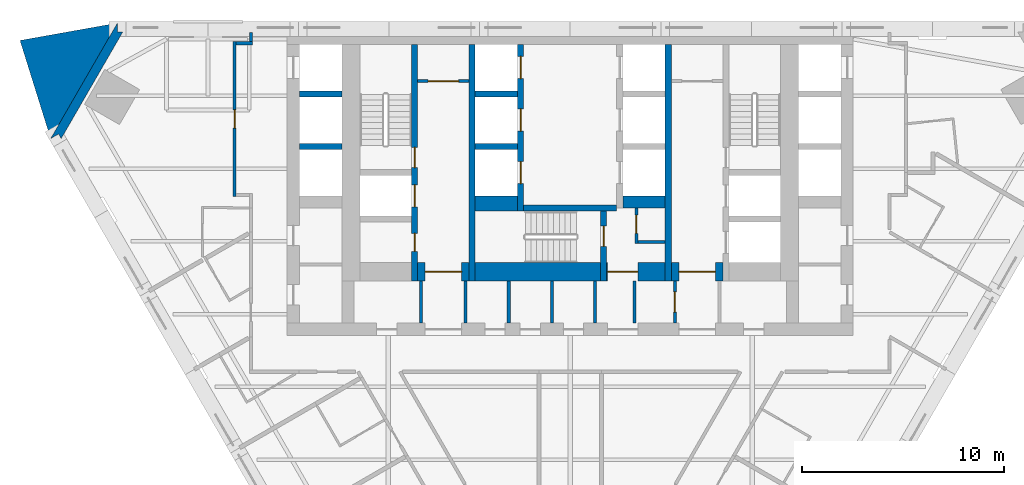
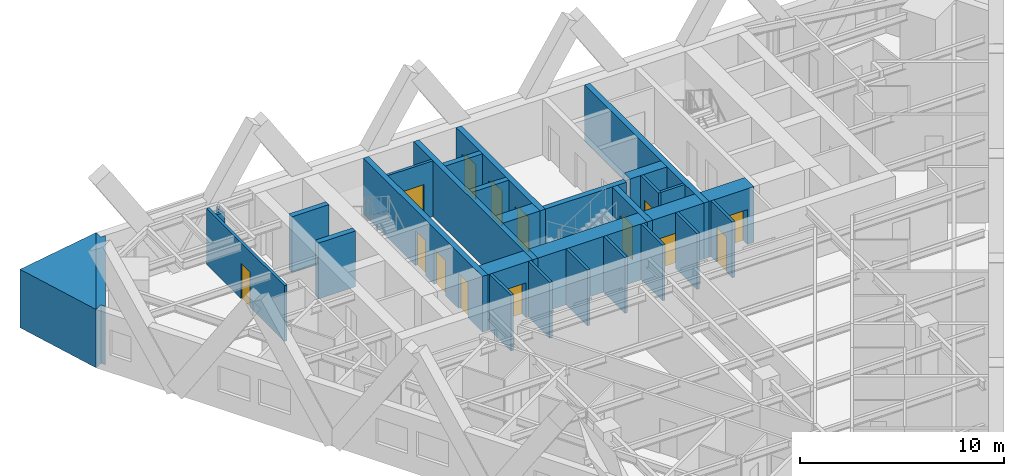
# One storey, part 6 of 9: 31 walls, 14 doors, 14 openings.
"""IFC4 building model written with IfcOpenShell, lengths in metres."""

from ifc_helpers import new_model, si_unit, direction, frame, frame_2d, origin, place, context, subcontext, project, spatial, polyline, rectangle, outline, extrude, material, layer, layer_set, type_object, element, fill, save


model = new_model("IFC4")

# Units and contexts
model_context = context("Model", 3, precision=1e-05, world=origin(), true_north=direction((0.0, 1.0)))
body_context = subcontext(model_context, "Body", "Model", "MODEL_VIEW")
ifc_project = project(units=[si_unit("LENGTHUNIT", "METRE"), si_unit("AREAUNIT", "SQUARE_METRE"), si_unit("VOLUMEUNIT", "CUBIC_METRE"), si_unit("PLANEANGLEUNIT", "RADIAN"), si_unit("MASSUNIT", "GRAM", prefix="KILO")], contexts=[model_context])

# Site, building, storey
site_placement = place(None, origin())
site = spatial("IfcSite", under=ifc_project, at=site_placement, CompositionType="ELEMENT")
building_placement = place(site_placement, origin())
building = spatial("IfcBuilding", under=site, at=building_placement, Name="Aloe Facet Convention Tower", CompositionType="ELEMENT")
storey_placement = place(building_placement, frame((0.0, 0.0, 42.0)))
storey = spatial("IfcBuildingStorey", under=building, at=storey_placement, Name="L08", CompositionType="ELEMENT", Elevation=42.0)

# Wall, opening, door
ifc_material_1 = material(Name="Concrete blockwork partition", Category="masonry")
ifc_layer_1 = layer(ifc_material_1, 0.14990234375)
ifc_layer_set_1 = layer_set([ifc_layer_1], Name="CR-W-PART150")
wall_type_1 = type_object("IfcWallType", Name="CR-W-PART150", PredefinedType="PARTITIONING", material=ifc_layer_set_1)
wall_1_placement = place(storey_placement, frame((72.449951171875, 132.125, 0.0), z_axis=(0.0, 0.0, 1.0), x_axis=(1.0, 0.0, 0.0)))
wall_1 = element("IfcWall", 1, at=wall_1_placement, inside=storey, type_object=wall_type_1, Name="Core partition L08-014", PredefinedType="PARTITIONING", context=body_context, shape_type="SweptSolid", body=[
    extrude(rectangle(XDim=2.550048828125, YDim=0.14990234375, at=frame_2d((1.27490234375, 0.0))), origin(), (0.0, 0.0, 1.0), 3.35009765625),
])
opening_1_placement = place(wall_1_placement, frame((0.52490234375, 0.0, 0.0)))
opening_1 = element("IfcOpeningElement", 2, at=opening_1_placement, cuts=wall_1, Name="Opening L08-CD21", PredefinedType="OPENING", context=body_context, shape_type="SweptSolid", body=[
    extrude(rectangle(XDim=1.5, YDim=2.10009765625, at=frame_2d((0.75, 1.050048828125))), frame((0.0, 0.0849609375, 0.0), z_axis=(0.0, -1.0, 0.0), x_axis=(1.0, 0.0, 0.0)), (0.0, 0.0, 1.0), 0.169921875),
])
ifc_material_2 = material(Name="Steel fire-resisting door set FD60", Category="steel")
door_type_1 = type_object("IfcDoorType", Name="CR-D-REFUGE-1500-FD60-DD", OperationType="DOUBLE_DOOR_DOUBLE_SWING", PredefinedType="DOOR", material=ifc_material_2)
door_1_placement = place(opening_1_placement, origin())
door_1 = element("IfcDoor", 3, at=door_1_placement, inside=storey, type_object=door_type_1, Name="Core door L08-CD21", OperationType="DOUBLE_DOOR_DOUBLE_SWING", OverallHeight=2.10009765625, OverallWidth=1.5, PredefinedType="DOOR", context=body_context, shape_type="SweptSolid", body=[
    extrude(rectangle(XDim=1.5, YDim=2.10009765625, at=frame_2d((0.75, 1.050048828125))), frame((0.0, 0.02490234375, 0.0), z_axis=(0.0, -1.0, 0.0), x_axis=(1.0, 0.0, 0.0)), (0.0, 0.0, 1.0), 0.050048828125),
])
fill(opening_1, door_1)

# Walls
for number, where, z_axis, x_axis, name in (
    (4, (72.625, 122.25, 0.0), (0.0, 0.0, 1.0), (0.0, -1.0, 0.0), "Core partition L08-016"),
    (5, (74.824951171875, 122.25, 0.0), (0.0, 0.0, 1.0), (0.0, -1.0, 0.0), "Core partition L08-017"),
    (6, (76.958251953125, 122.25, 0.0), (0.0, 0.0, 1.0), (0.0, -1.0, 0.0), "Core partition L08-023"),
    (7, (79.091552734375, 122.25, 0.0), (0.0, 0.0, 1.0), (0.0, -1.0, 0.0), "Core partition L08-026"),
    (8, (81.22509765625, 122.25, 0.0), (0.0, 0.0, 1.0), (0.0, -1.0, 0.0), "Core partition L08-027"),
    (9, (83.175048828125, 122.25, 0.0), (0.0, 0.0, 1.0), (0.0, -1.0, 0.0), "Core partition L08-034"),
):
    element("IfcWall", number, at=place(storey_placement, frame(where, z_axis=z_axis, x_axis=x_axis)), inside=storey, type_object=wall_type_1, Name=name, PredefinedType="PARTITIONING", context=body_context, shape_type="SweptSolid", body=[
        extrude(rectangle(XDim=2.10009765625, YDim=0.14990234375, at=frame_2d((1.050048828125, 0.0))), origin(), (0.0, 0.0, 1.0), 3.35009765625),
    ])

# Wall, opening, door
wall_2_placement = place(storey_placement, frame((83.27490234375, 125.85009765625, 0.0), z_axis=(0.0, 0.0, 1.0), x_axis=(0.0, -1.0, 0.0)))
wall_2 = element("IfcWall", 10, at=wall_2_placement, inside=storey, type_object=wall_type_1, Name="Core partition L08-035", PredefinedType="PARTITIONING", context=body_context, shape_type="SweptSolid", body=[
    extrude(rectangle(XDim=1.75, YDim=0.14990234375, at=frame_2d((0.875, 0.0))), origin(), (0.0, 0.0, 1.0), 3.35009765625),
])
opening_2_placement = place(wall_2_placement, frame((0.35009765625, 0.0, 0.0)))
opening_2 = element("IfcOpeningElement", 11, at=opening_2_placement, cuts=wall_2, Name="Opening L08-CD19", PredefinedType="OPENING", context=body_context, shape_type="SweptSolid", body=[
    extrude(rectangle(XDim=0.89990234375, YDim=2.10009765625, at=frame_2d((0.449951171875, 1.050048828125))), frame((0.0, 0.0849609375, 0.0), z_axis=(0.0, -1.0, 0.0), x_axis=(1.0, 0.0, 0.0)), (0.0, 0.0, 1.0), 0.169921875),
])
ifc_material_3 = material(Name="Steel fire-resisting door set FD60", Category="steel")
door_type_2 = type_object("IfcDoorType", Name="CR-D-REFUGE-900-FD60-SRIGHT", OperationType="SINGLE_SWING_RIGHT", PredefinedType="DOOR", material=ifc_material_3)
door_2_placement = place(opening_2_placement, origin())
door_2 = element("IfcDoor", 12, at=door_2_placement, inside=storey, type_object=door_type_2, Name="Core door L08-CD19", OperationType="SINGLE_SWING_RIGHT", OverallHeight=2.10009765625, OverallWidth=0.89990234375, PredefinedType="DOOR", context=body_context, shape_type="SweptSolid", body=[
    extrude(rectangle(XDim=0.89990234375, YDim=2.10009765625, at=frame_2d((0.449951171875, 1.050048828125))), frame((0.0, 0.02490234375, 0.0), z_axis=(0.0, -1.0, 0.0), x_axis=(1.0, 0.0, 0.0)), (0.0, 0.0, 1.0), 0.050048828125),
])
fill(opening_2, door_2)

# Wall
wall_3_placement = place(storey_placement, frame((83.35009765625, 124.175048828125, 0.0), z_axis=(0.0, 0.0, 1.0), x_axis=(1.0, 0.0, 0.0)))
element("IfcWall", 13, at=wall_3_placement, inside=storey, type_object=wall_type_1, Name="Core partition L08-036", PredefinedType="PARTITIONING", context=body_context, shape_type="SweptSolid", body=[
    extrude(rectangle(XDim=1.349853515625, YDim=0.14990234375, at=frame_2d((0.6748046875, 0.0))), origin(), (0.0, 0.0, 1.0), 3.35009765625),
])

# Wall, opening, door
wall_4_placement = place(storey_placement, frame((85.175048828125, 122.25, 0.0), z_axis=(0.0, 0.0, 1.0), x_axis=(0.0, -1.0, 0.0)))
wall_4 = element("IfcWall", 14, at=wall_4_placement, inside=storey, type_object=wall_type_1, Name="Core partition L08-040", PredefinedType="PARTITIONING", context=body_context, shape_type="SweptSolid", body=[
    extrude(rectangle(XDim=2.10009765625, YDim=0.14990234375, at=frame_2d((1.050048828125, 0.0))), origin(), (0.0, 0.0, 1.0), 3.35009765625),
])
opening_3_placement = place(wall_4_placement, frame((0.550048828125, 0.0, 0.0)))
opening_3 = element("IfcOpeningElement", 15, at=opening_3_placement, cuts=wall_4, Name="Opening L08-CD27", PredefinedType="OPENING", context=body_context, shape_type="SweptSolid", body=[
    extrude(rectangle(XDim=1.0, YDim=2.10009765625, at=frame_2d((0.5, 1.050048828125))), frame((0.0, 0.0849609375, 0.0), z_axis=(0.0, -1.0, 0.0), x_axis=(1.0, 0.0, 0.0)), (0.0, 0.0, 1.0), 0.169921875),
])
ifc_material_4 = material(Name="Steel fire-resisting door set FD60", Category="steel")
door_type_3 = type_object("IfcDoorType", Name="CR-D-ROOM-1000-FD60-SRIGHT", OperationType="SINGLE_SWING_RIGHT", PredefinedType="DOOR", material=ifc_material_4)
door_3_placement = place(opening_3_placement, origin())
door_3 = element("IfcDoor", 16, at=door_3_placement, inside=storey, type_object=door_type_3, Name="Core door L08-CD27", OperationType="SINGLE_SWING_RIGHT", OverallHeight=2.10009765625, OverallWidth=1.0, PredefinedType="DOOR", context=body_context, shape_type="SweptSolid", body=[
    extrude(rectangle(XDim=1.0, YDim=2.10009765625, at=frame_2d((0.5, 1.050048828125))), frame((0.0, 0.02490234375, 0.0), z_axis=(0.0, -1.0, 0.0), x_axis=(1.0, 0.0, 0.0)), (0.0, 0.0, 1.0), 0.050048828125),
])
fill(opening_3, door_3)

# Walls
ifc_material_5 = material(Name="Concrete C80/95", Category="concrete")
ifc_layer_2 = layer(ifc_material_5, 0.300048828125)
ifc_layer_set_2 = layer_set([ifc_layer_2], Name="CR-W-RC300-C8095")
wall_type_2 = type_object("IfcWallType", Name="CR-W-RC300-C8095", PredefinedType="SOLIDWALL", material=ifc_layer_set_2)
for number, where, z_axis, x_axis, name in (
    (17, (66.60009765625, 131.5, 0.0), (0.0, 0.0, 1.0), (1.0, 0.0, 0.0), "Core wall L08-004"),
    (18, (66.60009765625, 128.89990234375, 0.0), (0.0, 0.0, 1.0), (1.0, 0.0, 0.0), "Core wall L08-005"),
):
    element("IfcWall", number, at=place(storey_placement, frame(where, z_axis=z_axis, x_axis=x_axis)), inside=storey, type_object=wall_type_2, Name=name, PredefinedType="SOLIDWALL", context=body_context, shape_type="SweptSolid", body=[
        extrude(rectangle(XDim=2.099853515625, YDim=0.300048828125, at=frame_2d((1.0498046875, 0.0))), origin(), (0.0, 0.0, 1.0), 3.35009765625),
    ])

# Wall, openings, doors
wall_5_placement = place(storey_placement, frame((72.300048828125, 133.949951171875, 0.0), z_axis=(0.0, 0.0, 1.0), x_axis=(0.0, -1.0, 0.0)))
wall_5 = element("IfcWall", 19, at=wall_5_placement, inside=storey, type_object=wall_type_2, Name="Core wall L08-013", PredefinedType="SOLIDWALL", context=body_context, shape_type="SweptSolid", body=[
    extrude(rectangle(XDim=11.699951171875, YDim=0.300048828125, at=frame_2d((5.85009765625, 0.0))), origin(), (0.0, 0.0, 1.0), 3.35009765625),
])
opening_4_placement = place(wall_5_placement, frame((6.949951171875, 0.0, 0.0)))
opening_4 = element("IfcOpeningElement", 20, at=opening_4_placement, cuts=wall_5, Name="Opening LD-FF1-L08", PredefinedType="OPENING", context=body_context, shape_type="SweptSolid", body=[
    extrude(rectangle(XDim=1.10009765625, YDim=2.10009765625, at=frame_2d((0.550048828125, 1.050048828125))), frame((0.0, 0.16015625, 0.0), z_axis=(0.0, -1.0, 0.0), x_axis=(1.0, 0.0, 0.0)), (0.0, 0.0, 1.0), 0.320068359375),
])
opening_5_placement = place(wall_5_placement, frame((9.35009765625, 0.0, 0.0)))
opening_5 = element("IfcOpeningElement", 21, at=opening_5_placement, cuts=wall_5, Name="Opening L08-CD22", PredefinedType="OPENING", context=body_context, shape_type="SweptSolid", body=[
    extrude(rectangle(XDim=0.89990234375, YDim=2.10009765625, at=frame_2d((0.449951171875, 1.050048828125))), frame((0.0, 0.16015625, 0.0), z_axis=(0.0, -1.0, 0.0), x_axis=(1.0, 0.0, 0.0)), (0.0, 0.0, 1.0), 0.320068359375),
])
opening_6_placement = place(wall_5_placement, frame((5.10009765625, 0.0, 0.0)))
opening_6 = element("IfcOpeningElement", 22, at=opening_6_placement, cuts=wall_5, Name="Opening L08-CD29", PredefinedType="OPENING", context=body_context, shape_type="SweptSolid", body=[
    extrude(rectangle(XDim=1.0, YDim=2.10009765625, at=frame_2d((0.5, 1.050048828125))), frame((0.0, 0.16015625, 0.0), z_axis=(0.0, -1.0, 0.0), x_axis=(1.0, 0.0, 0.0)), (0.0, 0.0, 1.0), 0.320068359375),
])
ifc_material_6 = material(Name="Steel fire-resisting door set FD60", Category="steel")
door_type_4 = type_object("IfcDoorType", Name="CR-D-ROOM-900-FD60-SLEFT", OperationType="SINGLE_SWING_LEFT", PredefinedType="DOOR", material=ifc_material_6)
door_4_placement = place(opening_5_placement, origin())
door_4 = element("IfcDoor", 23, at=door_4_placement, inside=storey, type_object=door_type_4, Name="Core door L08-CD22", OperationType="SINGLE_SWING_LEFT", OverallHeight=2.10009765625, OverallWidth=0.89990234375, PredefinedType="DOOR", context=body_context, shape_type="SweptSolid", body=[
    extrude(rectangle(XDim=0.89990234375, YDim=2.10009765625, at=frame_2d((0.449951171875, 1.050048828125))), frame((0.0, 0.02490234375, 0.0), z_axis=(0.0, -1.0, 0.0), x_axis=(1.0, 0.0, 0.0)), (0.0, 0.0, 1.0), 0.050048828125),
])
fill(opening_5, door_4)
ifc_material_7 = material(Name="Steel fire-resisting door set FD120", Category="steel")
door_type_5 = type_object("IfcDoorType", Name="CR-D-STAIR-1000-FD120-SRIGHT", OperationType="SINGLE_SWING_RIGHT", PredefinedType="DOOR", material=ifc_material_7)
door_5_placement = place(opening_6_placement, origin())
door_5 = element("IfcDoor", 24, at=door_5_placement, inside=storey, type_object=door_type_5, Name="Core door L08-CD29", OperationType="SINGLE_SWING_RIGHT", OverallHeight=2.10009765625, OverallWidth=1.0, PredefinedType="DOOR", context=body_context, shape_type="SweptSolid", body=[
    extrude(rectangle(XDim=1.0, YDim=2.10009765625, at=frame_2d((0.5, 1.050048828125))), frame((0.0, 0.02490234375, 0.0), z_axis=(0.0, -1.0, 0.0), x_axis=(1.0, 0.0, 0.0)), (0.0, 0.0, 1.0), 0.050048828125),
])
fill(opening_6, door_5)
ifc_material_8 = material(Name="Stainless steel sliding landing door", Category="steel")
door_type_6 = type_object("IfcDoorType", Name="CR-LD-1100-FD120-_LEFT", OperationType="SLIDING_TO_LEFT", PredefinedType="DOOR", material=ifc_material_8)
door_6_placement = place(opening_4_placement, origin())
door_6 = element("IfcDoor", 25, at=door_6_placement, inside=storey, type_object=door_type_6, Name="Landing door FF1 L08", OperationType="SLIDING_TO_LEFT", OverallHeight=2.10009765625, OverallWidth=1.10009765625, PredefinedType="DOOR", context=body_context, shape_type="SweptSolid", body=[
    extrude(rectangle(XDim=1.10009765625, YDim=2.10009765625, at=frame_2d((0.550048828125, 1.050048828125))), frame((0.0, 0.02490234375, 0.0), z_axis=(0.0, -1.0, 0.0), x_axis=(1.0, 0.0, 0.0)), (0.0, 0.0, 1.0), 0.050048828125),
])
fill(opening_4, door_6)

# Walls
wall_6_placement = place(storey_placement, frame((75.14990234375, 133.949951171875, 0.0), z_axis=(0.0, 0.0, 1.0), x_axis=(0.0, -1.0, 0.0)))
element("IfcWall", 26, at=wall_6_placement, inside=storey, type_object=wall_type_2, Name="Core wall L08-018", PredefinedType="SOLIDWALL", context=body_context, shape_type="SweptSolid", body=[
    extrude(rectangle(XDim=11.699951171875, YDim=0.300048828125, at=frame_2d((5.85009765625, 0.0))), origin(), (0.0, 0.0, 1.0), 3.35009765625),
])
for number, where, z_axis, x_axis, name in (
    (27, (75.300048828125, 131.5, 0.0), (0.0, 0.0, 1.0), (1.0, 0.0, 0.0), "Core wall L08-019"),
    (28, (75.300048828125, 128.89990234375, 0.0), (0.0, 0.0, 1.0), (1.0, 0.0, 0.0), "Core wall L08-020"),
):
    element("IfcWall", number, at=place(storey_placement, frame(where, z_axis=z_axis, x_axis=x_axis)), inside=storey, type_object=wall_type_2, Name=name, PredefinedType="SOLIDWALL", context=body_context, shape_type="SweptSolid", body=[
        extrude(rectangle(XDim=2.099853515625, YDim=0.300048828125, at=frame_2d((1.0498046875, 0.0))), origin(), (0.0, 0.0, 1.0), 3.35009765625),
    ])

# Wall, openings, doors
wall_7_placement = place(storey_placement, frame((77.550048828125, 133.949951171875, 0.0), z_axis=(0.0, 0.0, 1.0), x_axis=(0.0, -1.0, 0.0)))
wall_7 = element("IfcWall", 29, at=wall_7_placement, inside=storey, type_object=wall_type_2, Name="Core wall L08-024", PredefinedType="SOLIDWALL", context=body_context, shape_type="SweptSolid", body=[
    extrude(rectangle(XDim=8.25, YDim=0.300048828125, at=frame_2d((4.125, 0.0))), origin(), (0.0, 0.0, 1.0), 3.35009765625),
])
opening_7_placement = place(wall_7_placement, frame((0.60009765625, 0.0, 0.0)))
opening_7 = element("IfcOpeningElement", 30, at=opening_7_placement, cuts=wall_7, Name="Opening LD-A1-L08", PredefinedType="OPENING", context=body_context, shape_type="SweptSolid", body=[
    extrude(rectangle(XDim=1.10009765625, YDim=2.10009765625, at=frame_2d((0.550048828125, 1.050048828125))), frame((0.0, 0.16015625, 0.0), z_axis=(0.0, -1.0, 0.0), x_axis=(1.0, 0.0, 0.0)), (0.0, 0.0, 1.0), 0.320068359375),
])
opening_8_placement = place(wall_7_placement, frame((3.199951171875, 0.0, 0.0)))
opening_8 = element("IfcOpeningElement", 31, at=opening_8_placement, cuts=wall_7, Name="Opening LD-A2-L08", PredefinedType="OPENING", context=body_context, shape_type="SweptSolid", body=[
    extrude(rectangle(XDim=1.10009765625, YDim=2.10009765625, at=frame_2d((0.550048828125, 1.050048828125))), frame((0.0, 0.16015625, 0.0), z_axis=(0.0, -1.0, 0.0), x_axis=(1.0, 0.0, 0.0)), (0.0, 0.0, 1.0), 0.320068359375),
])
opening_9_placement = place(wall_7_placement, frame((5.800048828125, 0.0, 0.0)))
opening_9 = element("IfcOpeningElement", 32, at=opening_9_placement, cuts=wall_7, Name="Opening LD-A3-L08", PredefinedType="OPENING", context=body_context, shape_type="SweptSolid", body=[
    extrude(rectangle(XDim=1.10009765625, YDim=2.10009765625, at=frame_2d((0.550048828125, 1.050048828125))), frame((0.0, 0.16015625, 0.0), z_axis=(0.0, -1.0, 0.0), x_axis=(1.0, 0.0, 0.0)), (0.0, 0.0, 1.0), 0.320068359375),
])
ifc_material_9 = material(Name="Stainless steel sliding landing door", Category="steel")
door_type_7 = type_object("IfcDoorType", Name="CR-LD-1100-FD60-RIGHT", OperationType="SLIDING_TO_RIGHT", PredefinedType="DOOR", material=ifc_material_9)
door_7_placement = place(opening_7_placement, origin())
door_7 = element("IfcDoor", 33, at=door_7_placement, inside=storey, type_object=door_type_7, Name="Landing door A1 L08", OperationType="SLIDING_TO_RIGHT", OverallHeight=2.10009765625, OverallWidth=1.10009765625, PredefinedType="DOOR", context=body_context, shape_type="SweptSolid", body=[
    extrude(rectangle(XDim=1.10009765625, YDim=2.10009765625, at=frame_2d((0.550048828125, 1.050048828125))), frame((0.0, 0.02490234375, 0.0), z_axis=(0.0, -1.0, 0.0), x_axis=(1.0, 0.0, 0.0)), (0.0, 0.0, 1.0), 0.050048828125),
])
fill(opening_7, door_7)
door_8_placement = place(opening_8_placement, origin())
door_8 = element("IfcDoor", 34, at=door_8_placement, inside=storey, type_object=door_type_7, Name="Landing door A2 L08", OperationType="SLIDING_TO_RIGHT", OverallHeight=2.10009765625, OverallWidth=1.10009765625, PredefinedType="DOOR", context=body_context, shape_type="SweptSolid", body=[
    extrude(rectangle(XDim=1.10009765625, YDim=2.10009765625, at=frame_2d((0.550048828125, 1.050048828125))), frame((0.0, 0.02490234375, 0.0), z_axis=(0.0, -1.0, 0.0), x_axis=(1.0, 0.0, 0.0)), (0.0, 0.0, 1.0), 0.050048828125),
])
fill(opening_8, door_8)
door_9_placement = place(opening_9_placement, origin())
door_9 = element("IfcDoor", 35, at=door_9_placement, inside=storey, type_object=door_type_7, Name="Landing door A3 L08", OperationType="SLIDING_TO_RIGHT", OverallHeight=2.10009765625, OverallWidth=1.10009765625, PredefinedType="DOOR", context=body_context, shape_type="SweptSolid", body=[
    extrude(rectangle(XDim=1.10009765625, YDim=2.10009765625, at=frame_2d((0.550048828125, 1.050048828125))), frame((0.0, 0.02490234375, 0.0), z_axis=(0.0, -1.0, 0.0), x_axis=(1.0, 0.0, 0.0)), (0.0, 0.0, 1.0), 0.050048828125),
])
fill(opening_9, door_9)

# Wall
wall_8_placement = place(storey_placement, frame((77.699951171875, 125.85009765625, 0.0), z_axis=(0.0, 0.0, 1.0), x_axis=(1.0, 0.0, 0.0)))
element("IfcWall", 36, at=wall_8_placement, inside=storey, type_object=wall_type_2, Name="Core wall L08-025", PredefinedType="SOLIDWALL", context=body_context, shape_type="SweptSolid", body=[
    extrude(rectangle(XDim=4.60009765625, YDim=0.300048828125, at=frame_2d((2.300048828125, 0.0))), origin(), (0.0, 0.0, 1.0), 3.35009765625),
])

# Wall, opening, door
wall_9_placement = place(storey_placement, frame((81.64990234375, 125.699951171875, 0.0), z_axis=(0.0, 0.0, 1.0), x_axis=(0.0, -1.0, 0.0)))
wall_9 = element("IfcWall", 37, at=wall_9_placement, inside=storey, type_object=wall_type_2, Name="Core wall L08-028", PredefinedType="SOLIDWALL", context=body_context, shape_type="SweptSolid", body=[
    extrude(rectangle(XDim=3.449951171875, YDim=0.300048828125, at=frame_2d((1.72509765625, 0.0))), origin(), (0.0, 0.0, 1.0), 3.35009765625),
])
opening_10_placement = place(wall_9_placement, frame((0.75, 0.0, 0.0)))
opening_10 = element("IfcOpeningElement", 38, at=opening_10_placement, cuts=wall_9, Name="Opening L08-CD31", PredefinedType="OPENING", context=body_context, shape_type="SweptSolid", body=[
    extrude(rectangle(XDim=1.0, YDim=2.10009765625, at=frame_2d((0.5, 1.050048828125))), frame((0.0, 0.16015625, 0.0), z_axis=(0.0, -1.0, 0.0), x_axis=(1.0, 0.0, 0.0)), (0.0, 0.0, 1.0), 0.320068359375),
])
ifc_material_10 = material(Name="Steel fire-resisting door set FD120", Category="steel")
door_type_8 = type_object("IfcDoorType", Name="CR-D-STAIR-1000-FD120-SLEFT", OperationType="SINGLE_SWING_LEFT", PredefinedType="DOOR", material=ifc_material_10)
door_10_placement = place(opening_10_placement, origin())
door_10 = element("IfcDoor", 39, at=door_10_placement, inside=storey, type_object=door_type_8, Name="Core door L08-CD31", OperationType="SINGLE_SWING_LEFT", OverallHeight=2.10009765625, OverallWidth=1.0, PredefinedType="DOOR", context=body_context, shape_type="SweptSolid", body=[
    extrude(rectangle(XDim=1.0, YDim=2.10009765625, at=frame_2d((0.5, 1.050048828125))), frame((0.0, 0.02490234375, 0.0), z_axis=(0.0, -1.0, 0.0), x_axis=(1.0, 0.0, 0.0)), (0.0, 0.0, 1.0), 0.050048828125),
])
fill(opening_10, door_10)

# Walls
wall_10_placement = place(storey_placement, frame((84.85009765625, 133.949951171875, 0.0), z_axis=(0.0, 0.0, 1.0), x_axis=(0.0, -1.0, 0.0)))
element("IfcWall", 40, at=wall_10_placement, inside=storey, type_object=wall_type_2, Name="Core wall L08-037", PredefinedType="SOLIDWALL", context=body_context, shape_type="SweptSolid", body=[
    extrude(rectangle(XDim=11.699951171875, YDim=0.300048828125, at=frame_2d((5.85009765625, 0.0))), origin(), (0.0, 0.0, 1.0), 3.35009765625),
])
ifc_material_11 = material(Name="Concrete C80/95", Category="concrete")
ifc_layer_3 = layer(ifc_material_11, 0.60009765625)
ifc_layer_set_3 = layer_set([ifc_layer_3], Name="CR-W-RC600-C8095")
wall_type_3 = type_object("IfcWallType", Name="CR-W-RC600-C8095", PredefinedType="SOLIDWALL", material=ifc_layer_set_3)
wall_11_placement = place(storey_placement, frame((82.60009765625, 126.14990234375, 0.0), z_axis=(0.0, 0.0, 1.0), x_axis=(1.0, 0.0, 0.0)))
element("IfcWall", 41, at=wall_11_placement, inside=storey, type_object=wall_type_3, Name="Core wall L08-033", PredefinedType="SOLIDWALL", context=body_context, shape_type="SweptSolid", body=[
    extrude(rectangle(XDim=2.099853515625, YDim=0.60009765625, at=frame_2d((1.0498046875, 0.0))), origin(), (0.0, 0.0, 1.0), 3.35009765625),
])
ifc_material_12 = material(Name="Concrete C80/95", Category="concrete")
ifc_layer_4 = layer(ifc_material_12, 0.75)
ifc_layer_set_4 = layer_set([ifc_layer_4], Name="CR-W-RC750-C8095")
wall_type_4 = type_object("IfcWallType", Name="CR-W-RC750-C8095", PredefinedType="SOLIDWALL", material=ifc_layer_set_4)
wall_12_placement = place(storey_placement, frame((75.300048828125, 126.074951171875, 0.0), z_axis=(0.0, 0.0, 1.0), x_axis=(1.0, 0.0, 0.0)))
element("IfcWall", 42, at=wall_12_placement, inside=storey, type_object=wall_type_4, Name="Core wall L08-021", PredefinedType="SOLIDWALL", context=body_context, shape_type="SweptSolid", body=[
    extrude(rectangle(XDim=2.099853515625, YDim=0.75, at=frame_2d((1.0498046875, 0.0))), origin(), (0.0, 0.0, 1.0), 3.35009765625),
])

# Wall, opening, door
ifc_material_13 = material(Name="Concrete C80/95", Category="concrete")
ifc_layer_5 = layer(ifc_material_13, 0.89990234375)
ifc_layer_set_5 = layer_set([ifc_layer_5], Name="CR-W-RC900-C8095")
wall_type_5 = type_object("IfcWallType", Name="CR-W-RC900-C8095", PredefinedType="SOLIDWALL", material=ifc_layer_set_5)
wall_13_placement = place(storey_placement, frame((72.449951171875, 122.699951171875, 0.0), z_axis=(0.0, 0.0, 1.0), x_axis=(1.0, 0.0, 0.0)))
wall_13 = element("IfcWall", 43, at=wall_13_placement, inside=storey, type_object=wall_type_5, Name="Core wall L08-015", PredefinedType="SOLIDWALL", context=body_context, shape_type="SweptSolid", body=[
    extrude(rectangle(XDim=2.550048828125, YDim=0.89990234375, at=frame_2d((1.27490234375, 0.0))), origin(), (0.0, 0.0, 1.0), 3.35009765625),
])
opening_11_placement = place(wall_13_placement, frame((0.375, 0.0, 0.0)))
opening_11 = element("IfcOpeningElement", 44, at=opening_11_placement, cuts=wall_13, Name="Opening L08-CD14", PredefinedType="OPENING", context=body_context, shape_type="SweptSolid", body=[
    extrude(rectangle(XDim=1.800048828125, YDim=2.10009765625, at=frame_2d((0.89990234375, 1.050048828125))), frame((0.0, 0.4599609375, 0.0), z_axis=(0.0, -1.0, 0.0), x_axis=(1.0, 0.0, 0.0)), (0.0, 0.0, 1.0), 0.919921875),
])
ifc_material_14 = material(Name="Steel fire-resisting door set FD120", Category="steel")
door_type_9 = type_object("IfcDoorType", Name="CR-D-EXIT-1800-FD120-DD", OperationType="DOUBLE_DOOR_DOUBLE_SWING", PredefinedType="DOOR", material=ifc_material_14)
door_11_placement = place(opening_11_placement, origin())
door_11 = element("IfcDoor", 45, at=door_11_placement, inside=storey, type_object=door_type_9, Name="Core door L08-CD14", OperationType="DOUBLE_DOOR_DOUBLE_SWING", OverallHeight=2.10009765625, OverallWidth=1.800048828125, PredefinedType="DOOR", context=body_context, shape_type="SweptSolid", body=[
    extrude(rectangle(XDim=1.800048828125, YDim=2.10009765625, at=frame_2d((0.89990234375, 1.050048828125))), frame((0.0, 0.02490234375, 0.0), z_axis=(0.0, -1.0, 0.0), x_axis=(1.0, 0.0, 0.0)), (0.0, 0.0, 1.0), 0.050048828125),
])
fill(opening_11, door_11)

# Wall
wall_14_placement = place(storey_placement, frame((75.300048828125, 122.699951171875, 0.0), z_axis=(0.0, 0.0, 1.0), x_axis=(1.0, 0.0, 0.0)))
element("IfcWall", 46, at=wall_14_placement, inside=storey, type_object=wall_type_5, Name="Core wall L08-022", PredefinedType="SOLIDWALL", context=body_context, shape_type="SweptSolid", body=[
    extrude(rectangle(XDim=6.199951171875, YDim=0.89990234375, at=frame_2d((3.10009765625, 0.0))), origin(), (0.0, 0.0, 1.0), 3.35009765625),
])

# Wall, opening, door
wall_15_placement = place(storey_placement, frame((81.800048828125, 122.699951171875, 0.0), z_axis=(0.0, 0.0, 1.0), x_axis=(1.0, 0.0, 0.0)))
wall_15 = element("IfcWall", 47, at=wall_15_placement, inside=storey, type_object=wall_type_5, Name="Core wall L08-029", PredefinedType="SOLIDWALL", context=body_context, shape_type="SweptSolid", body=[
    extrude(rectangle(XDim=2.89990234375, YDim=0.89990234375, at=frame_2d((1.449951171875, 0.0))), origin(), (0.0, 0.0, 1.0), 3.35009765625),
])
opening_12_placement = place(wall_15_placement, frame((0.050048828125, 0.0, 0.0)))
opening_12 = element("IfcOpeningElement", 48, at=opening_12_placement, cuts=wall_15, Name="Opening L08-CD15", PredefinedType="OPENING", context=body_context, shape_type="SweptSolid", body=[
    extrude(rectangle(XDim=1.5, YDim=2.10009765625, at=frame_2d((0.75, 1.050048828125))), frame((0.0, 0.4599609375, 0.0), z_axis=(0.0, -1.0, 0.0), x_axis=(1.0, 0.0, 0.0)), (0.0, 0.0, 1.0), 0.919921875),
])
ifc_material_15 = material(Name="Steel fire-resisting door set FD60", Category="steel")
door_type_10 = type_object("IfcDoorType", Name="CR-D-EXIT-1500-FD60-DD", OperationType="DOUBLE_DOOR_DOUBLE_SWING", PredefinedType="DOOR", material=ifc_material_15)
door_12_placement = place(opening_12_placement, origin())
door_12 = element("IfcDoor", 49, at=door_12_placement, inside=storey, type_object=door_type_10, Name="Core door L08-CD15", OperationType="DOUBLE_DOOR_DOUBLE_SWING", OverallHeight=2.10009765625, OverallWidth=1.5, PredefinedType="DOOR", context=body_context, shape_type="SweptSolid", body=[
    extrude(rectangle(XDim=1.5, YDim=2.10009765625, at=frame_2d((0.75, 1.050048828125))), frame((0.0, 0.02490234375, 0.0), z_axis=(0.0, -1.0, 0.0), x_axis=(1.0, 0.0, 0.0)), (0.0, 0.0, 1.0), 0.050048828125),
])
fill(opening_12, door_12)

wall_16_placement = place(storey_placement, frame((85.0, 122.699951171875, 0.0), z_axis=(0.0, 0.0, 1.0), x_axis=(1.0, 0.0, 0.0)))
wall_16 = element("IfcWall", 50, at=wall_16_placement, inside=storey, type_object=wall_type_5, Name="Core wall L08-039", PredefinedType="SOLIDWALL", context=body_context, shape_type="SweptSolid", body=[
    extrude(rectangle(XDim=2.550048828125, YDim=0.89990234375, at=frame_2d((1.27490234375, 0.0))), origin(), (0.0, 0.0, 1.0), 3.35009765625),
])
opening_13_placement = place(wall_16_placement, frame((0.375, 0.0, 0.0)))
opening_13 = element("IfcOpeningElement", 51, at=opening_13_placement, cuts=wall_16, Name="Opening L08-CD13", PredefinedType="OPENING", context=body_context, shape_type="SweptSolid", body=[
    extrude(rectangle(XDim=1.800048828125, YDim=2.10009765625, at=frame_2d((0.89990234375, 1.050048828125))), frame((0.0, 0.4599609375, 0.0), z_axis=(0.0, -1.0, 0.0), x_axis=(1.0, 0.0, 0.0)), (0.0, 0.0, 1.0), 0.919921875),
])
door_13_placement = place(opening_13_placement, origin())
door_13 = element("IfcDoor", 52, at=door_13_placement, inside=storey, type_object=door_type_9, Name="Core door L08-CD13", OperationType="DOUBLE_DOOR_DOUBLE_SWING", OverallHeight=2.10009765625, OverallWidth=1.800048828125, PredefinedType="DOOR", context=body_context, shape_type="SweptSolid", body=[
    extrude(rectangle(XDim=1.800048828125, YDim=2.10009765625, at=frame_2d((0.89990234375, 1.050048828125))), frame((0.0, 0.02490234375, 0.0), z_axis=(0.0, -1.0, 0.0), x_axis=(1.0, 0.0, 0.0)), (0.0, 0.0, 1.0), 0.050048828125),
])
fill(opening_13, door_13)

# Walls
ifc_material_16 = material(Name="Precast concrete C40/50", Category="concrete")
ifc_layer_6 = layer(ifc_material_16, 0.449951171875)
ifc_layer_set_6 = layer_set([ifc_layer_6], Name="EV-WALL-PIER")
wall_type_6 = type_object("IfcWallType", Name="EV-WALL-PIER", PredefinedType="SOLIDWALL", material=ifc_layer_set_6)
wall_17_placement = place(storey_placement, frame((0.0, 0.0, -0.14990234375)))
element("IfcWall", 53, at=wall_17_placement, inside=storey, type_object=wall_type_6, Name="EP-L08-A", PredefinedType="SOLIDWALL", context=body_context, shape_type="SweptSolid", body=[
    extrude(outline(polyline([(57.60009765625, 135.0), (57.60009765625, 134.550048828125), (57.85986328125, 134.550048828125), (54.819580078125, 129.2841796875), (54.689697265625, 129.50927734375), (54.300048828125, 129.2841796875), (57.60009765625, 135.0)])), origin(), (0.0, 0.0, 1.0), 3.5),
])
ifc_material_17 = material(Name="Precast concrete C40/50", Category="concrete")
ifc_layer_7 = layer(ifc_material_17, 3.947998046875)
ifc_layer_set_7 = layer_set([ifc_layer_7], Name="EV-WALL-SPINE")
wall_type_7 = type_object("IfcWallType", Name="EV-WALL-SPINE", PredefinedType="SOLIDWALL", material=ifc_layer_set_7)
wall_18_placement = place(storey_placement, frame((0.0, 0.0, -0.14990234375)))
element("IfcWall", 54, at=wall_18_placement, inside=storey, type_object=wall_type_7, Name="SP-NW-L08", PredefinedType="SOLIDWALL", context=body_context, shape_type="SweptSolid", body=[
    extrude(outline(polyline([(57.60009765625, 135.0), (52.781982421875, 134.138916015625), (54.300048828125, 129.2841796875), (57.60009765625, 135.0)])), origin(), (0.0, 0.0, 1.0), 3.5),
])

# Wall, opening, door
ifc_material_18 = material(Name="Gypsum board partition on steel studs", Category="steel")
ifc_layer_8 = layer(ifc_material_18, 0.14990234375)
ifc_layer_set_8 = layer_set([ifc_layer_8], Name="IN-W-CORR")
wall_type_8 = type_object("IfcWallType", Name="IN-W-CORR", PredefinedType="PARTITIONING", material=ifc_layer_set_8)
wall_19_placement = place(storey_placement, frame((63.39990234375, 126.425048828125, 0.0), z_axis=(0.0, 0.0, 1.0), x_axis=(0.0, 1.0, 0.0)))
wall_19 = element("IfcWall", 55, at=wall_19_placement, inside=storey, type_object=wall_type_8, Name="Partition L08-W092", PredefinedType="PARTITIONING", context=body_context, shape_type="SweptSolid", body=[
    extrude(rectangle(XDim=7.6494140625, YDim=0.14990234375, at=frame_2d((3.82470703125, 0.0))), origin(), (0.0, 0.0, 1.0), 3.35009765625),
])
opening_14_placement = place(wall_19_placement, frame((3.374755859375, 0.0, 0.0)))
opening_14 = element("IfcOpeningElement", 56, at=opening_14_placement, cuts=wall_19, Name="Opening L08-001", PredefinedType="OPENING", context=body_context, shape_type="SweptSolid", body=[
    extrude(rectangle(XDim=0.89990234375, YDim=2.10009765625, at=frame_2d((0.449951171875, 1.050048828125))), frame((0.0, 0.0849609375, 0.0), z_axis=(0.0, -1.0, 0.0), x_axis=(1.0, 0.0, 0.0)), (0.0, 0.0, 1.0), 0.169921875),
])
ifc_material_19 = material(Name="Hardwood flush door FD30S", Category="wood")
door_type_11 = type_object("IfcDoorType", Name="IN-D-GUEST", OperationType="SINGLE_SWING_LEFT", PredefinedType="DOOR", material=ifc_material_19)
door_14_placement = place(opening_14_placement, origin())
door_14 = element("IfcDoor", 57, at=door_14_placement, inside=storey, type_object=door_type_11, Name="Door L08-001", OperationType="SINGLE_SWING_LEFT", OverallHeight=2.10009765625, OverallWidth=0.89990234375, PredefinedType="DOOR", context=body_context, shape_type="SweptSolid", body=[
    extrude(rectangle(XDim=0.89990234375, YDim=2.10009765625, at=frame_2d((0.449951171875, 1.050048828125))), frame((0.0, 0.02490234375, 0.0), z_axis=(0.0, -1.0, 0.0), x_axis=(1.0, 0.0, 0.0)), (0.0, 0.0, 1.0), 0.050048828125),
])
fill(opening_14, door_14)

# Walls
wall_20_placement = place(storey_placement, frame((63.47509765625, 133.99951171875, 0.0), z_axis=(0.0, 0.0, 1.0), x_axis=(0.999999813645, 0.000610500497, 0.0)))
element("IfcWall", 58, at=wall_20_placement, inside=storey, type_object=wall_type_8, Name="Partition L08-W106", PredefinedType="PARTITIONING", context=body_context, shape_type="SweptSolid", body=[
    extrude(rectangle(XDim=0.7998046875, YDim=0.14990234375, at=frame_2d((0.39990234375, 0.0))), origin(), (0.0, 0.0, 1.0), 2.88671875),
])
wall_21_placement = place(storey_placement, frame((64.199951171875, 134.074951171875, 0.0), z_axis=(0.0, 0.0, 1.0), x_axis=(0.0, 1.0, 0.0)))
element("IfcWall", 59, at=wall_21_placement, inside=storey, type_object=wall_type_8, Name="Partition L08-W107", PredefinedType="PARTITIONING", context=body_context, shape_type="SweptSolid", body=[
    extrude(rectangle(XDim=0.465087890625, YDim=0.14990234375, at=frame_2d((0.232421875, 0.0))), origin(), (0.0, 0.0, 1.0), 2.88671875),
])

save(model, "model.ifc")
